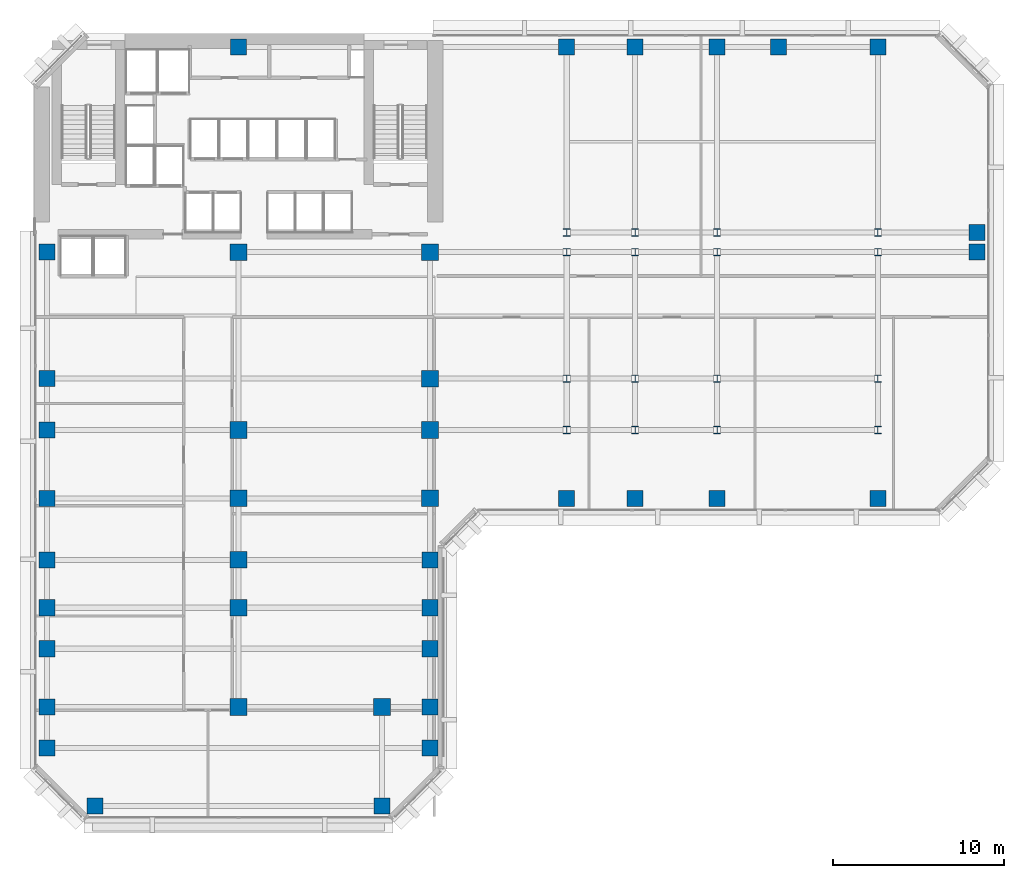
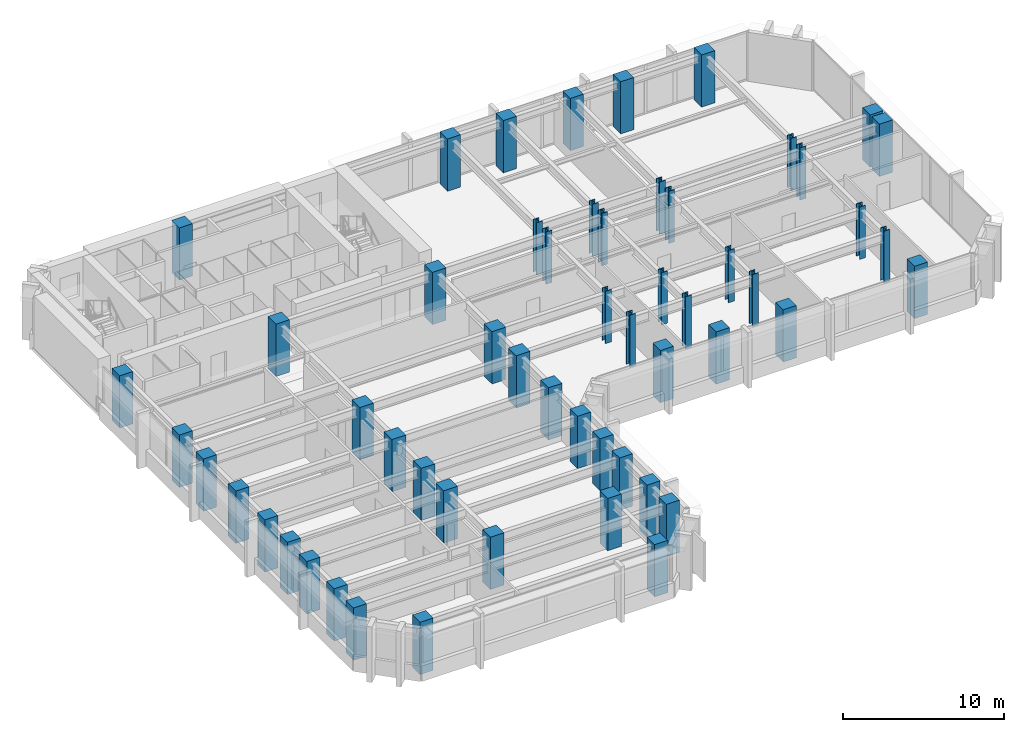
# One storey, part 1 of 13: 55 columns.
"""IFC4 building model written with IfcOpenShell, lengths in metres."""

from ifc_helpers import new_model, si_unit, direction, frame, origin, origin_2d, place, context, subcontext, project, spatial, rectangle, i_section, extrude, material, material_profile, profile_set, type_object, element, save


model = new_model("IFC4")

# Units and contexts
model_context = context("Model", 3, precision=1e-05, world=origin(), true_north=direction((0.0, 1.0)))
body_context = subcontext(model_context, "Body", "Model", "MODEL_VIEW")
ifc_project = project(units=[si_unit("LENGTHUNIT", "METRE"), si_unit("AREAUNIT", "SQUARE_METRE"), si_unit("VOLUMEUNIT", "CUBIC_METRE"), si_unit("PLANEANGLEUNIT", "RADIAN"), si_unit("MASSUNIT", "GRAM", prefix="KILO")], contexts=[model_context])

# Site, building, storey
site_placement = place(None, origin())
site = spatial("IfcSite", under=ifc_project, at=site_placement, CompositionType="ELEMENT")
building_placement = place(site_placement, origin())
building = spatial("IfcBuilding", under=site, at=building_placement, Name="Kefirva Bronze Tower", CompositionType="ELEMENT")
storey_placement = place(building_placement, frame((0.0, 0.0, 106.590087890625)))
storey = spatial("IfcBuildingStorey", under=building, at=storey_placement, Name="L25", CompositionType="ELEMENT", Elevation=106.590087890625)

# Columns
ifc_material_1 = material(Name="Concrete C60/75", Category="concrete")
ifc_material_profile_1 = material_profile(ifc_material_1, rectangle(XDim=0.93994140625, YDim=0.93994140625, at=origin_2d()), Name="RC 940x940")
ifc_profile_set_1 = profile_set([ifc_material_profile_1], Name="Concrete C60/75")
column_type_1 = type_object("IfcColumnType", Name="RC Column 940x940 Ext", PredefinedType="COLUMN", material=ifc_profile_set_1)
for number, where, z_axis, x_axis, name in (
    (1, (0.800048828125, 4.199951171875, 0.0), (0.0, 0.0, 1.0), (1.0, 0.0, 0.0), "L25 Column C008_042"),
    (2, (0.800048828125, 6.60009765625, 0.0), (0.0, 0.0, 1.0), (1.0, 0.0, 0.0), "L25 Column C008_066"),
    (3, (0.800048828125, 10.0, 0.0), (0.0, 0.0, 1.0), (1.0, 0.0, 0.0), "L25 Column C008_100"),
    (4, (0.800048828125, 12.39990234375, 0.0), (0.0, 0.0, 1.0), (1.0, 0.0, 0.0), "L25 Column C008_124"),
    (5, (0.800048828125, 15.199951171875, 0.0), (0.0, 0.0, 1.0), (1.0, 0.0, 0.0), "L25 Column C008_152"),
    (6, (0.800048828125, 18.800048828125, 0.0), (0.0, 0.0, 1.0), (1.0, 0.0, 0.0), "L25 Column C008_188"),
    (7, (0.800048828125, 22.800048828125, 0.0), (0.0, 0.0, 1.0), (1.0, 0.0, 0.0), "L25 Column C008_228"),
    (8, (0.800048828125, 25.800048828125, 0.0), (0.0, 0.0, 1.0), (1.0, 0.0, 0.0), "L25 Column C008_258"),
    (9, (0.800048828125, 33.199951171875, 0.0), (0.0, 0.0, 1.0), (1.0, 0.0, 0.0), "L25 Column C008_332"),
    (10, (3.60009765625, 0.800048828125, 0.0), (0.0, 0.0, 1.0), (1.0, 0.0, 0.0), "L25 Column C036_008"),
    (11, (12.0, 45.199951171875, 0.0), (0.0, 0.0, 1.0), (1.0, 0.0, 0.0), "L25 Column C120_452"),
    (12, (20.39990234375, 0.800048828125, 0.0), (0.0, 0.0, 1.0), (1.0, 0.0, 0.0), "L25 Column C204_008"),
    (13, (23.199951171875, 4.199951171875, 0.0), (0.0, 0.0, 1.0), (1.0, 0.0, 0.0), "L25 Column C232_042"),
    (14, (23.199951171875, 6.60009765625, 0.0), (0.0, 0.0, 1.0), (1.0, 0.0, 0.0), "L25 Column C232_066"),
    (15, (23.199951171875, 10.0, 0.0), (0.0, 0.0, 1.0), (1.0, 0.0, 0.0), "L25 Column C232_100"),
    (16, (23.199951171875, 12.39990234375, 0.0), (0.0, 0.0, 1.0), (1.0, 0.0, 0.0), "L25 Column C232_124"),
    (17, (23.199951171875, 15.199951171875, 0.0), (0.0, 0.0, 1.0), (1.0, 0.0, 0.0), "L25 Column C232_152"),
    (18, (31.199951171875, 18.800048828125, 0.0), (0.0, 0.0, 1.0), (1.0, 0.0, 0.0), "L25 Column C312_188"),
    (19, (31.199951171875, 45.199951171875, 0.0), (0.0, 0.0, 1.0), (1.0, 0.0, 0.0), "L25 Column C312_452"),
    (20, (35.199951171875, 18.800048828125, 0.0), (0.0, 0.0, 1.0), (1.0, 0.0, 0.0), "L25 Column C352_188"),
    (21, (35.199951171875, 45.199951171875, 0.0), (0.0, 0.0, 1.0), (1.0, 0.0, 0.0), "L25 Column C352_452"),
    (22, (40.0, 18.800048828125, 0.0), (0.0, 0.0, 1.0), (1.0, 0.0, 0.0), "L25 Column C400_188"),
    (23, (40.0, 45.199951171875, 0.0), (0.0, 0.0, 1.0), (1.0, 0.0, 0.0), "L25 Column C400_452"),
    (24, (43.60009765625, 45.199951171875, 0.0), (0.0, 0.0, 1.0), (1.0, 0.0, 0.0), "L25 Column C436_452"),
    (25, (49.39990234375, 18.800048828125, 0.0), (0.0, 0.0, 1.0), (1.0, 0.0, 0.0), "L25 Column C494_188"),
    (26, (49.39990234375, 45.199951171875, 0.0), (0.0, 0.0, 1.0), (1.0, 0.0, 0.0), "L25 Column C494_452"),
    (27, (55.199951171875, 33.199951171875, 0.0), (0.0, 0.0, 1.0), (1.0, 0.0, 0.0), "L25 Column C552_332"),
    (28, (55.199951171875, 34.35009765625, 0.0), (0.0, 0.0, 1.0), (1.0, 0.0, 0.0), "L25 Column C552_344"),
):
    element("IfcColumn", number, at=place(storey_placement, frame(where, z_axis=z_axis, x_axis=x_axis)), inside=storey, type_object=column_type_1, Name=name, PredefinedType="COLUMN", context=body_context, shape_type="SweptSolid", body=[
        extrude(rectangle(XDim=0.93994140625, YDim=0.93994140625, at=origin_2d()), origin(), (0.0, 0.0, 1.0), 3.9599609375),
    ])
ifc_material_profile_2 = material_profile(ifc_material_1, rectangle(XDim=0.97998046875, YDim=0.97998046875, at=origin_2d()), Name="RC 980x980")
ifc_profile_set_2 = profile_set([ifc_material_profile_2], Name="Concrete C60/75")
column_type_2 = type_object("IfcColumnType", Name="RC Column 980x980 Int", PredefinedType="COLUMN", material=ifc_profile_set_2)
for number, where, z_axis, x_axis, name in (
    (29, (12.0, 6.60009765625, 0.0), (0.0, 0.0, 1.0), (1.0, 0.0, 0.0), "L25 Column C120_066"),
    (30, (12.0, 12.39990234375, 0.0), (0.0, 0.0, 1.0), (1.0, 0.0, 0.0), "L25 Column C120_124"),
    (31, (12.0, 15.199951171875, 0.0), (0.0, 0.0, 1.0), (1.0, 0.0, 0.0), "L25 Column C120_152"),
    (32, (12.0, 18.800048828125, 0.0), (0.0, 0.0, 1.0), (1.0, 0.0, 0.0), "L25 Column C120_188"),
    (33, (12.0, 22.800048828125, 0.0), (0.0, 0.0, 1.0), (1.0, 0.0, 0.0), "L25 Column C120_228"),
    (34, (12.0, 33.199951171875, 0.0), (0.0, 0.0, 1.0), (1.0, 0.0, 0.0), "L25 Column C120_332"),
    (35, (20.39990234375, 6.60009765625, 0.0), (0.0, 0.0, 1.0), (1.0, 0.0, 0.0), "L25 Column C204_066"),
    (36, (23.199951171875, 18.800048828125, 0.0), (0.0, 0.0, 1.0), (1.0, 0.0, 0.0), "L25 Column C232_188"),
    (37, (23.199951171875, 22.800048828125, 0.0), (0.0, 0.0, 1.0), (1.0, 0.0, 0.0), "L25 Column C232_228"),
    (38, (23.199951171875, 25.800048828125, 0.0), (0.0, 0.0, 1.0), (1.0, 0.0, 0.0), "L25 Column C232_258"),
    (39, (23.199951171875, 33.199951171875, 0.0), (0.0, 0.0, 1.0), (1.0, 0.0, 0.0), "L25 Column C232_332"),
):
    element("IfcColumn", number, at=place(storey_placement, frame(where, z_axis=z_axis, x_axis=x_axis)), inside=storey, type_object=column_type_2, Name=name, PredefinedType="COLUMN", context=body_context, shape_type="SweptSolid", body=[
        extrude(rectangle(XDim=0.97998046875, YDim=0.97998046875, at=origin_2d()), origin(), (0.0, 0.0, 1.0), 3.9599609375),
    ])
ifc_material_2 = material(Name="Steel S460", Category="steel")
ifc_material_profile_3 = material_profile(ifc_material_2, i_section(OverallWidth=0.41796875, OverallDepth=0.455078125, WebThickness=0.031982421875, FlangeThickness=0.051025390625, at=origin_2d()), Name="HD 400x551")
ifc_profile_set_3 = profile_set([ifc_material_profile_3], Name="Steel S460")
column_type_3 = type_object("IfcColumnType", Name="Steel Column HD 400x551", PredefinedType="COLUMN", material=ifc_profile_set_3)
for number, where, z_axis, x_axis, name in (
    (40, (31.199951171875, 22.800048828125, 0.0), (0.0, 0.0, 1.0), (1.0, 0.0, 0.0), "L25 Column C312_228"),
    (41, (31.199951171875, 25.800048828125, 0.0), (0.0, 0.0, 1.0), (1.0, 0.0, 0.0), "L25 Column C312_258"),
    (42, (31.199951171875, 33.199951171875, 0.0), (0.0, 0.0, 1.0), (1.0, 0.0, 0.0), "L25 Column C312_332"),
    (43, (31.199951171875, 34.35009765625, 0.0), (0.0, 0.0, 1.0), (1.0, 0.0, 0.0), "L25 Column C312_344"),
    (44, (35.199951171875, 22.800048828125, 0.0), (0.0, 0.0, 1.0), (1.0, 0.0, 0.0), "L25 Column C352_228"),
    (45, (35.199951171875, 25.800048828125, 0.0), (0.0, 0.0, 1.0), (1.0, 0.0, 0.0), "L25 Column C352_258"),
    (46, (35.199951171875, 33.199951171875, 0.0), (0.0, 0.0, 1.0), (1.0, 0.0, 0.0), "L25 Column C352_332"),
    (47, (35.199951171875, 34.35009765625, 0.0), (0.0, 0.0, 1.0), (1.0, 0.0, 0.0), "L25 Column C352_344"),
    (48, (40.0, 22.800048828125, 0.0), (0.0, 0.0, 1.0), (1.0, 0.0, 0.0), "L25 Column C400_228"),
    (49, (40.0, 25.800048828125, 0.0), (0.0, 0.0, 1.0), (1.0, 0.0, 0.0), "L25 Column C400_258"),
    (50, (40.0, 33.199951171875, 0.0), (0.0, 0.0, 1.0), (1.0, 0.0, 0.0), "L25 Column C400_332"),
    (51, (40.0, 34.35009765625, 0.0), (0.0, 0.0, 1.0), (1.0, 0.0, 0.0), "L25 Column C400_344"),
    (52, (49.39990234375, 22.800048828125, 0.0), (0.0, 0.0, 1.0), (1.0, 0.0, 0.0), "L25 Column C494_228"),
    (53, (49.39990234375, 25.800048828125, 0.0), (0.0, 0.0, 1.0), (1.0, 0.0, 0.0), "L25 Column C494_258"),
    (54, (49.39990234375, 33.199951171875, 0.0), (0.0, 0.0, 1.0), (1.0, 0.0, 0.0), "L25 Column C494_332"),
    (55, (49.39990234375, 34.35009765625, 0.0), (0.0, 0.0, 1.0), (1.0, 0.0, 0.0), "L25 Column C494_344"),
):
    element("IfcColumn", number, at=place(storey_placement, frame(where, z_axis=z_axis, x_axis=x_axis)), inside=storey, type_object=column_type_3, Name=name, PredefinedType="COLUMN", context=body_context, shape_type="SweptSolid", body=[
        extrude(i_section(OverallWidth=0.41796875, OverallDepth=0.455078125, WebThickness=0.031982421875, FlangeThickness=0.051025390625, at=origin_2d()), origin(), (0.0, 0.0, 1.0), 3.9599609375),
    ])

save(model, "model.ifc")
